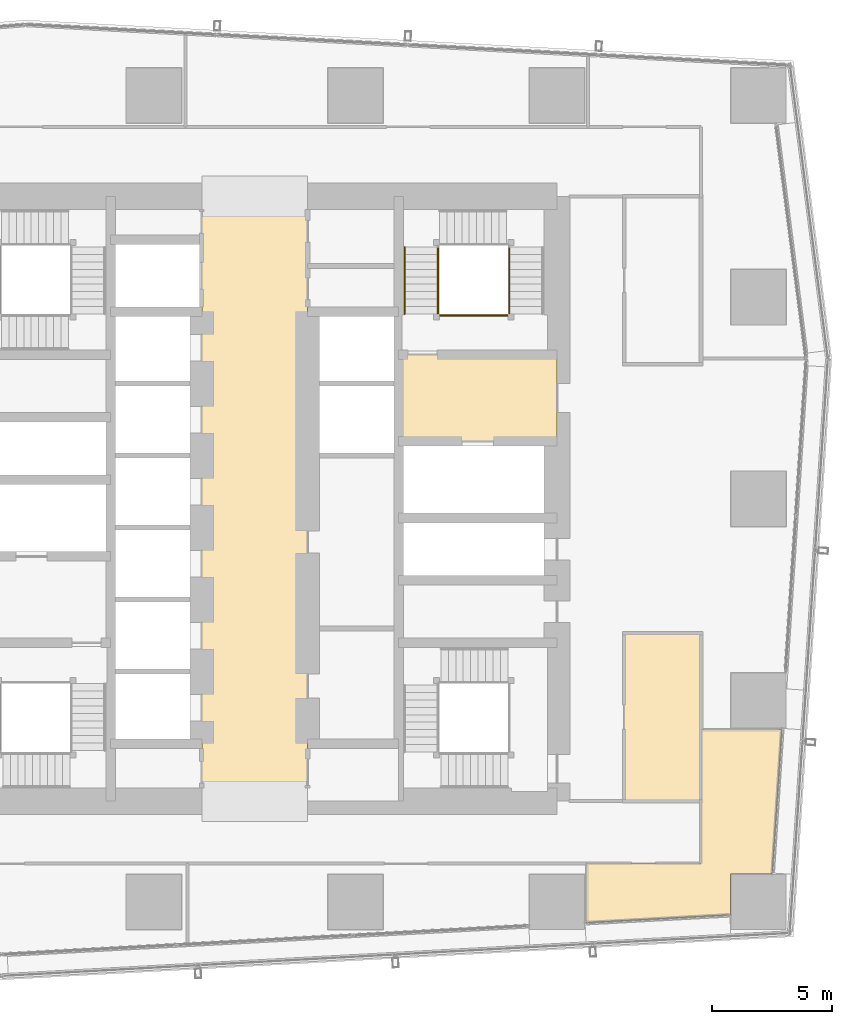
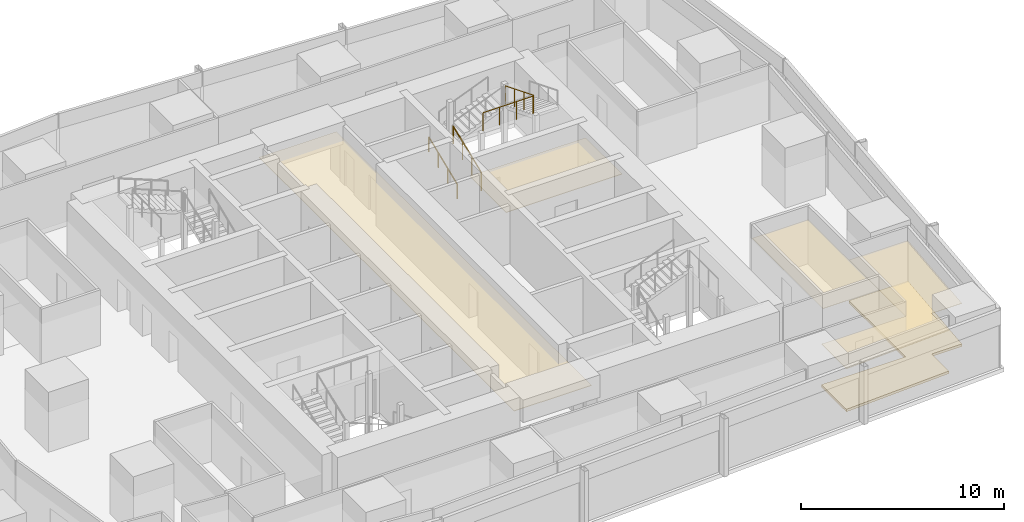
# One storey, part 30 of 32: 5 coverings, 4 railings.
"""IFC4 building model written with IfcOpenShell, lengths in metres."""

from ifc_helpers import new_model, si_unit, direction, frame, origin, origin_2d, place, context, subcontext, project, spatial, polyline, circle, outline, extrude, material, layer, layer_set, type_object, element, save


model = new_model("IFC4")

# Units and contexts
model_context = context("Model", 3, precision=1e-05, world=origin(), true_north=direction((0.0, 1.0)))
body_context = subcontext(model_context, "Body", "Model", "MODEL_VIEW")
ifc_project = project(units=[si_unit("LENGTHUNIT", "METRE"), si_unit("AREAUNIT", "SQUARE_METRE"), si_unit("VOLUMEUNIT", "CUBIC_METRE"), si_unit("PLANEANGLEUNIT", "RADIAN"), si_unit("MASSUNIT", "GRAM", prefix="KILO")], contexts=[model_context])

# Site, building, storey
site_placement = place(None, origin())
site = spatial("IfcSite", under=ifc_project, at=site_placement, CompositionType="ELEMENT")
building_placement = place(site_placement, origin())
building = spatial("IfcBuilding", under=site, at=building_placement, Name="Rekha Terrace Tower", CompositionType="ELEMENT")
storey_placement = place(building_placement, frame((0.0, 0.0, 250.10009765625)))
storey = spatial("IfcBuildingStorey", under=building, at=storey_placement, Name="L63", CompositionType="ELEMENT", Elevation=250.10009765625)

# Coverings
ifc_material_1 = material(Name="Mineral fibre tile in exposed grid", Category="finish")
ifc_layer_1 = layer(ifc_material_1, 0.02001953125)
ifc_layer_set_1 = layer_set([ifc_layer_1], Name="Mineral fibre tile in exposed grid")
covering_type_1 = type_object("IfcCoveringType", Name="CL1 600x1200 office grid ceiling", PredefinedType="CEILING", material=ifc_layer_set_1)
covering_1_placement = place(storey_placement, frame((0.0, 0.0, 2.579833984375)))
element("IfcCovering", 1, at=covering_1_placement, inside=storey, type_object=covering_type_1, Name="Ceiling L63-08", PredefinedType="CEILING", context=body_context, shape_type="SweptSolid", body=[
    extrude(outline(polyline([(59.362060546875, 17.965087890625), (59.761962890625, 23.990966796875), (56.39990234375, 23.990966796875), (56.39990234375, 18.39990234375), (51.60791015625, 18.39990234375), (51.60791015625, 15.94091796875), (57.635009765625, 16.26904296875), (57.635009765625, 17.965087890625), (59.362060546875, 17.965087890625)])), origin(), (0.0, 0.0, 1.0), 0.02001953125),
])
ifc_material_2 = material(Name="Fibre cement board", Category="finish")
ifc_layer_2 = layer(ifc_material_2, 0.014892578125)
ifc_layer_set_2 = layer_set([ifc_layer_2], Name="Fibre cement board")
covering_type_2 = type_object("IfcCoveringType", Name="CL2 moisture-resistant board ceiling", PredefinedType="CEILING", material=ifc_layer_set_2)
covering_2_placement = place(storey_placement, frame((0.0, 0.0, 2.5849609375)))
element("IfcCovering", 2, at=covering_2_placement, inside=storey, type_object=covering_type_2, Name="Ceiling L63-WCM2", PredefinedType="CEILING", context=body_context, shape_type="SweptSolid", body=[
    extrude(outline(polyline([(56.39990234375, 28.0), (53.199951171875, 28.0), (53.199951171875, 21.0), (56.39990234375, 21.0), (56.39990234375, 28.0)])), origin(), (0.0, 0.0, 1.0), 0.014892578125),
])
ifc_material_3 = material(Name="Powder-coated aluminium pan", Category="aluminium")
ifc_layer_3 = layer(ifc_material_3, 0.030029296875)
ifc_layer_set_3 = layer_set([ifc_layer_3], Name="Powder-coated aluminium pan")
covering_type_3 = type_object("IfcCoveringType", Name="CL3 300x1200 metal pan ceiling", PredefinedType="CEILING", material=ifc_layer_set_3)
covering_3_placement = place(storey_placement, frame((0.0, 0.0, 2.56982421875)))
element("IfcCovering", 3, at=covering_3_placement, inside=storey, type_object=covering_type_3, Name="Ceiling L63-LOBBY", PredefinedType="CEILING", context=body_context, shape_type="SweptSolid", body=[
    extrude(outline(polyline([(40.0, 46.199951171875), (35.60009765625, 46.199951171875), (35.60009765625, 21.0), (40.0, 21.0), (40.0, 46.199951171875)])), origin(), (0.0, 0.0, 1.0), 0.030029296875),
])
covering_4_placement = place(storey_placement, frame((0.0, 0.0, 2.56982421875)))
element("IfcCovering", 4, at=covering_4_placement, inside=storey, type_object=covering_type_3, Name="Ceiling L63-FLB2", PredefinedType="CEILING", context=body_context, shape_type="SweptSolid", body=[
    extrude(outline(polyline([(50.39990234375, 39.60009765625), (43.800048828125, 39.60009765625), (43.800048828125, 36.0), (50.39990234375, 36.0), (50.39990234375, 39.60009765625)])), origin(), (0.0, 0.0, 1.0), 0.030029296875),
])

# Railings
ifc_material_4 = material(Name="Stainless steel balustrade", Category="steel")
railing_type_1 = type_object("IfcRailingType", Name="GR1 1100 stair guard", PredefinedType="GUARDRAIL", material=ifc_material_4)
railing_1_placement = place(storey_placement, frame((45.43994140625, 41.300048828125, 0.125)))
element("IfcRailing", 5, at=railing_1_placement, inside=storey, type_object=railing_type_1, Name="Guard ST2 L63 flight 1", PredefinedType="GUARDRAIL", context=body_context, shape_type="SweptSolid", body=[
    extrude(circle(Radius=0.02392578125, at=origin_2d()), frame((0.0, 0.0, 1.076171875), z_axis=(0.0, 0.927443287984, 0.373963831907), x_axis=(-1.0, 0.0, 0.0)), (0.0, 0.0, 1.0), 3.00830078125),
    extrude(circle(Radius=0.02099609375, at=origin_2d()), origin(), (0.0, 0.0, 1.0), 1.052001953125),
    extrude(circle(Radius=0.02099609375, at=origin_2d()), frame((0.0, 0.929931640625, 0.375)), (0.0, 0.0, 1.0), 1.052001953125),
    extrude(circle(Radius=0.02099609375, at=origin_2d()), frame((0.0, 1.860107421875, 0.75)), (0.0, 0.0, 1.0), 1.052001953125),
    extrude(circle(Radius=0.02099609375, at=origin_2d()), frame((0.0, 2.7900390625, 1.125)), (0.0, 0.0, 1.0), 1.052001953125),
])
railing_2_placement = place(storey_placement, frame((48.409912109375, 44.090087890625, 2.625)))
element("IfcRailing", 6, at=railing_2_placement, inside=storey, type_object=railing_type_1, Name="Guard ST2 L63 flight 3", PredefinedType="GUARDRAIL", context=body_context, shape_type="SweptSolid", body=[
    extrude(circle(Radius=0.02392578125, at=origin_2d()), frame((0.0, 0.0, 1.076171875), z_axis=(0.0, -0.927443287984, 0.373963831907), x_axis=(1.0, 0.0, 0.0)), (0.0, 0.0, 1.0), 3.00830078125),
    extrude(circle(Radius=0.02099609375, at=origin_2d()), origin(), (0.0, 0.0, 1.0), 1.052001953125),
    extrude(circle(Radius=0.02099609375, at=origin_2d()), frame((0.0, -0.929931640625, 0.375)), (0.0, 0.0, 1.0), 1.052001953125),
    extrude(circle(Radius=0.02099609375, at=origin_2d()), frame((0.0, -1.860107421875, 0.75)), (0.0, 0.0, 1.0), 1.052001953125),
    extrude(circle(Radius=0.02099609375, at=origin_2d()), frame((0.0, -2.7900390625, 1.125)), (0.0, 0.0, 1.0), 1.052001953125),
])
railing_3_placement = place(storey_placement, frame((45.5, 41.239990234375, 3.75)))
element("IfcRailing", 7, at=railing_3_placement, inside=storey, type_object=railing_type_1, Name="Guard ST2 L63 landing 4", PredefinedType="GUARDRAIL", context=body_context, shape_type="SweptSolid", body=[
    extrude(circle(Radius=0.02392578125, at=origin_2d()), frame((0.0, 0.0, 1.076171875), z_axis=(1.0, 0.0, 0.0), x_axis=(0.0, 1.0, 0.0)), (0.0, 0.0, 1.0), 2.85009765625),
    extrude(circle(Radius=0.02099609375, at=origin_2d()), origin(), (0.0, 0.0, 1.0), 1.052001953125),
    extrude(circle(Radius=0.02099609375, at=origin_2d()), frame((0.949951171875, 0.0, 0.0)), (0.0, 0.0, 1.0), 1.052001953125),
    extrude(circle(Radius=0.02099609375, at=origin_2d()), frame((1.900146484375, 0.0, 0.0)), (0.0, 0.0, 1.0), 1.052001953125),
    extrude(circle(Radius=0.02099609375, at=origin_2d()), frame((2.85009765625, 0.0, 0.0)), (0.0, 0.0, 1.0), 1.052001953125),
])
ifc_material_5 = material(Name="Stainless steel tube", Category="steel")
railing_type_2 = type_object("IfcRailingType", Name="HR1 900 stair handrail", PredefinedType="HANDRAIL", material=ifc_material_5)
railing_4_placement = place(storey_placement, frame((44.06005859375, 41.300048828125, 0.125)))
element("IfcRailing", 8, at=railing_4_placement, inside=storey, type_object=railing_type_2, Name="Handrail ST2 L63 flight 1", PredefinedType="HANDRAIL", context=body_context, shape_type="SweptSolid", body=[
    extrude(circle(Radius=0.02392578125, at=origin_2d()), frame((0.0, 0.0, 0.8759765625), z_axis=(0.0, 0.927443287984, 0.373963831907), x_axis=(-1.0, 0.0, 0.0)), (0.0, 0.0, 1.0), 3.00830078125),
    extrude(circle(Radius=0.02099609375, at=origin_2d()), origin(), (0.0, 0.0, 1.0), 0.851806640625),
    extrude(circle(Radius=0.02099609375, at=origin_2d()), frame((0.0, 0.929931640625, 0.375)), (0.0, 0.0, 1.0), 0.851806640625),
    extrude(circle(Radius=0.02099609375, at=origin_2d()), frame((0.0, 1.860107421875, 0.75)), (0.0, 0.0, 1.0), 0.851806640625),
    extrude(circle(Radius=0.02099609375, at=origin_2d()), frame((0.0, 2.7900390625, 1.125)), (0.0, 0.0, 1.0), 0.851806640625),
])

# Covering
ifc_material_6 = material(Name="Calcium sulphate panels on steel pedestals", Category="steel")
ifc_layer_4 = layer(ifc_material_6, 0.14990234375)
ifc_layer_set_4 = layer_set([ifc_layer_4], Name="Calcium sulphate panels on steel pedestals")
covering_type_4 = type_object("IfcCoveringType", Name="RF1 150 raised access floor", PredefinedType="FLOORING", material=ifc_layer_set_4)
covering_5_placement = place(storey_placement, origin())
element("IfcCovering", 9, at=covering_5_placement, inside=storey, type_object=covering_type_4, Name="Raised floor L63-08", PredefinedType="FLOORING", context=body_context, shape_type="SweptSolid", body=[
    extrude(outline(polyline([(59.362060546875, 17.965087890625), (59.761962890625, 23.990966796875), (56.39990234375, 23.990966796875), (56.39990234375, 18.39990234375), (51.60791015625, 18.39990234375), (51.60791015625, 15.94091796875), (57.635009765625, 16.26904296875), (57.635009765625, 17.965087890625), (59.362060546875, 17.965087890625)])), origin(), (0.0, 0.0, 1.0), 0.14990234375),
])

save(model, "model.ifc")
